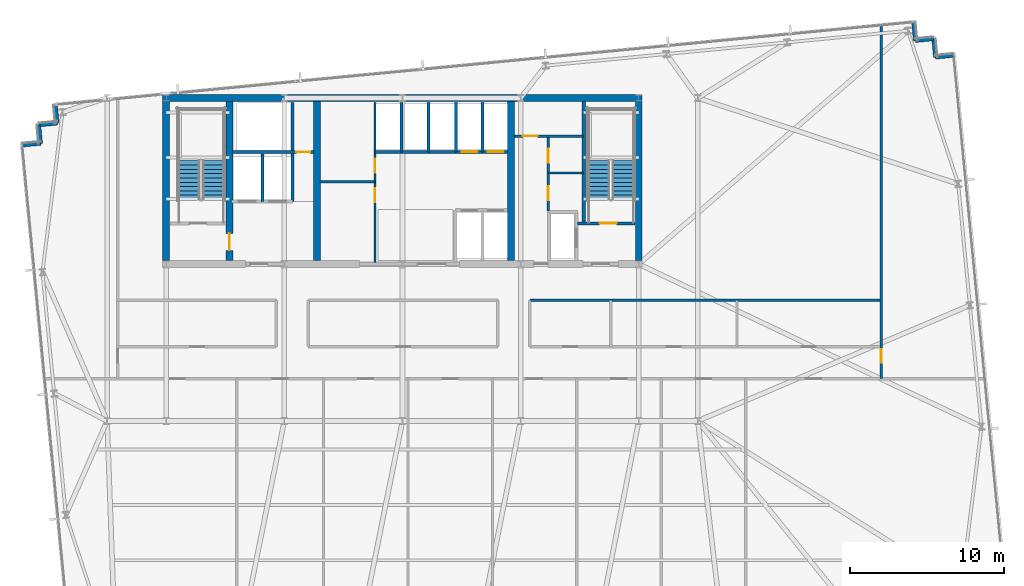
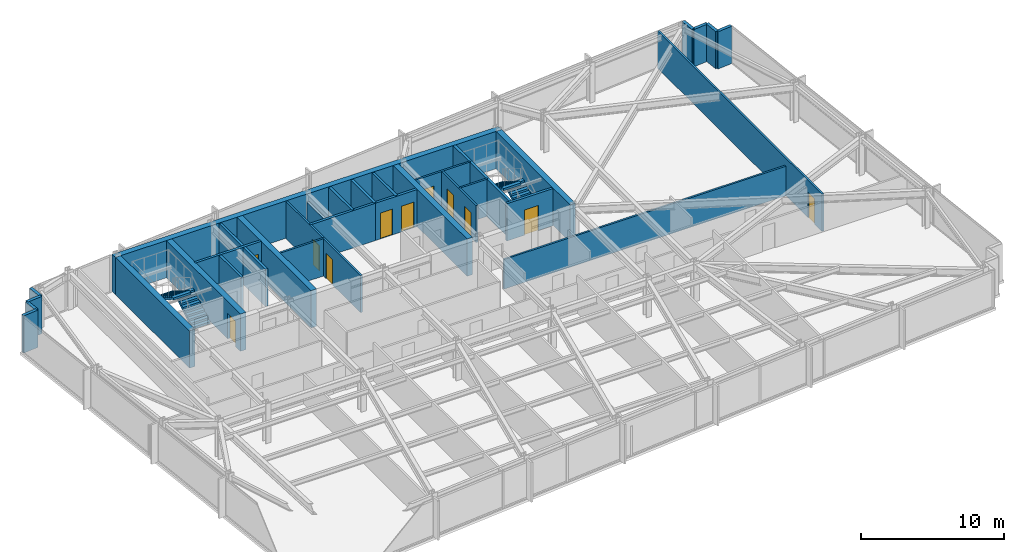
# One storey, part 26 of 32: 32 walls, 11 doors, 4 stair flights, 11 openings, 2 elements without a shape of their own.
"""IFC4 building model written with IfcOpenShell, lengths in metres."""

from ifc_helpers import new_model, si_unit, direction, frame, frame_2d, origin, place, context, subcontext, project, spatial, polyline, rectangle, outline, extrude, material, layer, layer_set, type_object, element, fill, aggregate, save


model = new_model("IFC4")

# Units and contexts
model_context = context("Model", 3, precision=1e-05, world=origin(), true_north=direction((0.0, 1.0)))
body_context = subcontext(model_context, "Body", "Model", "MODEL_VIEW")
ifc_project = project(units=[si_unit("LENGTHUNIT", "METRE"), si_unit("AREAUNIT", "SQUARE_METRE"), si_unit("VOLUMEUNIT", "CUBIC_METRE"), si_unit("PLANEANGLEUNIT", "RADIAN"), si_unit("MASSUNIT", "GRAM", prefix="KILO")], contexts=[model_context])

# Site, building, storey
site_placement = place(None, origin())
site = spatial("IfcSite", under=ifc_project, at=site_placement, CompositionType="ELEMENT")
building_placement = place(site_placement, origin())
building = spatial("IfcBuilding", under=site, at=building_placement, Name="Yelkora Congress Tower", CompositionType="ELEMENT")
storey_placement = place(building_placement, frame((0.0, 0.0, 130.5)))
storey = spatial("IfcBuildingStorey", under=building, at=storey_placement, Name="L35", CompositionType="ELEMENT", Elevation=130.5)

# Walls
ifc_material_1 = material(Name="Concrete C50/60", Category="concrete")
ifc_layer_1 = layer(ifc_material_1, 0.219970703125)
ifc_layer_set_1 = layer_set([ifc_layer_1], Name="Concrete C50/60")
wall_type_1 = type_object("IfcWallType", Name="WALL-CORE-INT-220", PredefinedType="SHEAR", material=ifc_layer_set_1)
wall_1_placement = place(storey_placement, frame((50.179931640625, 38.050048828125, 0.0), z_axis=(0.0, 0.0, 1.0), x_axis=(0.0, 1.0, 0.0)))
element("IfcWall", 1, at=wall_1_placement, inside=storey, type_object=wall_type_1, Name="L35 ST02 West Stair Shear Wall", PredefinedType="SHEAR", context=body_context, shape_type="SweptSolid", body=[
    extrude(rectangle(XDim=7.925048828125, YDim=0.219970703125, at=frame_2d((3.96240234375, 0.0))), origin(), (0.0, 0.0, 1.0), 3.179931640625),
])
ifc_material_2 = material(Name="Concrete C60/75", Category="concrete")
ifc_layer_2 = layer(ifc_material_2, 0.449951171875)
ifc_layer_set_2 = layer_set([ifc_layer_2], Name="Concrete C60/75")
wall_type_2 = type_object("IfcWallType", Name="WALL-CORE-INT-450", PredefinedType="SHEAR", material=ifc_layer_set_2)
wall_2_placement = place(storey_placement, frame((22.81494140625, 46.199951171875, 0.0), z_axis=(0.0, 0.0, 1.0), x_axis=(1.0, 0.0, 0.0)))
element("IfcWall", 2, at=wall_2_placement, inside=storey, type_object=wall_type_2, Name="L35 Rear Core North Shear Wall", PredefinedType="SHEAR", context=body_context, shape_type="SweptSolid", body=[
    extrude(rectangle(XDim=31.170166015625, YDim=0.449951171875, at=frame_2d((15.5849609375, 0.0))), origin(), (0.0, 0.0, 1.0), 3.179931640625),
])
wall_3_placement = place(storey_placement, frame((23.0400390625, 35.625, 0.0), z_axis=(0.0, 0.0, 1.0), x_axis=(0.0, 1.0, 0.0)))
element("IfcWall", 3, at=wall_3_placement, inside=storey, type_object=wall_type_2, Name="L35 Rear Core Cross Shear Wall W", PredefinedType="SHEAR", context=body_context, shape_type="SweptSolid", body=[
    extrude(rectangle(XDim=10.35009765625, YDim=0.449951171875, at=frame_2d((5.175048828125, 0.0))), origin(), (0.0, 0.0, 1.0), 3.179931640625),
])

# Wall, opening, door
wall_4_placement = place(storey_placement, frame((27.14990234375, 35.625, 0.0), z_axis=(0.0, 0.0, 1.0), x_axis=(0.0, 1.0, 0.0)))
wall_4 = element("IfcWall", 4, at=wall_4_placement, inside=storey, type_object=wall_type_2, Name="L35 Rear Core Cross Shear Wall C1", PredefinedType="SHEAR", context=body_context, shape_type="SweptSolid", body=[
    extrude(rectangle(XDim=10.35009765625, YDim=0.449951171875, at=frame_2d((5.175048828125, 0.0))), origin(), (0.0, 0.0, 1.0), 3.179931640625),
])
opening_1_placement = place(wall_4_placement, frame((0.675048828125, 0.0, 0.0)))
opening_1 = element("IfcOpeningElement", 5, at=opening_1_placement, cuts=wall_4, Name="Opening DR-110F9", PredefinedType="OPENING", context=body_context, shape_type="SweptSolid", body=[
    extrude(rectangle(XDim=1.10009765625, YDim=2.14990234375, at=frame_2d((0.550048828125, 1.074951171875))), frame((0.0, 0.23486328125, 0.0), z_axis=(0.0, -1.0, 0.0), x_axis=(1.0, 0.0, 0.0)), (0.0, 0.0, 1.0), 0.469970703125),
])
ifc_material_3 = material(Name="Galvanised steel fire door leaf", Category="steel")
door_type_1 = type_object("IfcDoorType", Name="DOOR-FD90-1100", OperationType="NOTDEFINED", PredefinedType="DOOR", material=ifc_material_3)
door_1_placement = place(opening_1_placement, origin())
door_1 = element("IfcDoor", 6, at=door_1_placement, inside=storey, type_object=door_type_1, Name="L35 Firefighting Stair Transfer Door", OperationType="SINGLE_SWING_LEFT", OverallHeight=2.14990234375, OverallWidth=1.10009765625, PredefinedType="DOOR", context=body_context, shape_type="SweptSolid", body=[
    extrude(rectangle(XDim=1.10009765625, YDim=2.14990234375, at=frame_2d((0.550048828125, 1.074951171875))), frame((0.0, 0.02490234375, 0.0), z_axis=(0.0, -1.0, 0.0), x_axis=(1.0, 0.0, 0.0)), (0.0, 0.0, 1.0), 0.050048828125),
])
fill(opening_1, door_1)

# Walls
for number, where, z_axis, x_axis, name in (
    (7, (32.85009765625, 35.625, 0.0), (0.0, 0.0, 1.0), (0.0, 1.0, 0.0), "L35 Rear Core Cross Shear Wall C2"),
    (8, (45.449951171875, 35.625, 0.0), (0.0, 0.0, 1.0), (0.0, 1.0, 0.0), "L35 Rear Core Cross Shear Wall C3"),
    (9, (53.760009765625, 35.625, 0.0), (0.0, 0.0, 1.0), (0.0, 1.0, 0.0), "L35 Rear Core Cross Shear Wall E"),
):
    element("IfcWall", number, at=place(storey_placement, frame(where, z_axis=z_axis, x_axis=x_axis)), inside=storey, type_object=wall_type_2, Name=name, PredefinedType="SHEAR", context=body_context, shape_type="SweptSolid", body=[
        extrude(rectangle(XDim=10.35009765625, YDim=0.449951171875, at=frame_2d((5.175048828125, 0.0))), origin(), (0.0, 0.0, 1.0), 3.179931640625),
    ])
ifc_material_4 = material(Name="Concrete C40/50", Category="concrete")
ifc_layer_3 = layer(ifc_material_4, 0.239990234375)
ifc_layer_set_3 = layer_set([ifc_layer_3], Name="Concrete C40/50")
wall_type_3 = type_object("IfcWallType", Name="WALL-EXT-LIMESTONE-240", PredefinedType="SOLIDWALL", material=ifc_layer_set_3)
for number, where, z_axis, x_axis, name in (
    (10, (13.69091796875, 43.126708984375, 0.0), (0.0, 0.0, 1.0), (0.995398960025, 0.095817067274, 0.0), "L35 Serrated Corner Limestone Pier 6"),
    (11, (14.885498046875, 43.24169921875, 0.0), (0.0, 0.0, 1.0), (-0.095817067274, 0.995398960025, 0.0), "L35 Serrated Corner Limestone Pier 7"),
):
    element("IfcWall", number, at=place(storey_placement, frame(where, z_axis=z_axis, x_axis=x_axis)), inside=storey, type_object=wall_type_3, Name=name, PredefinedType="SOLIDWALL", context=body_context, shape_type="SweptSolid", body=[
        extrude(rectangle(XDim=1.2001953125, YDim=0.239990234375, at=frame_2d((0.60009765625, 0.0))), origin(), (0.0, 0.0, 1.0), 3.179931640625),
    ])
for number, where, z_axis, x_axis, name in (
    (12, (14.7705078125, 44.436279296875, 0.0), (0.0, 0.0, 1.0), (0.995397091755, 0.095836473879, 0.0), "L35 Serrated Corner Limestone Pier 8"),
    (13, (15.96484375, 44.55126953125, 0.0), (0.0, 0.0, 1.0), (-0.095836473879, 0.995397091755, 0.0), "L35 Serrated Corner Limestone Pier 9"),
):
    element("IfcWall", number, at=place(storey_placement, frame(where, z_axis=z_axis, x_axis=x_axis)), inside=storey, type_object=wall_type_3, Name=name, PredefinedType="SOLIDWALL", context=body_context, shape_type="SweptSolid", body=[
        extrude(rectangle(XDim=1.199951171875, YDim=0.239990234375, at=frame_2d((0.60009765625, 0.0))), origin(), (0.0, 0.0, 1.0), 3.179931640625),
    ])
for number, where, z_axis, x_axis, name in (
    (14, (71.61181640625, 51.114990234375, 0.0), (0.0, 0.0, 1.0), (0.095817067274, -0.995398960025, 0.0), "L35 Serrated Corner Limestone Pier 11"),
    (15, (71.726806640625, 49.92041015625, 0.0), (0.0, 0.0, 1.0), (0.995398960025, 0.095817067274, 0.0), "L35 Serrated Corner Limestone Pier 12"),
    (16, (72.92138671875, 50.035400390625, 0.0), (0.0, 0.0, 1.0), (0.095817067274, -0.995398960025, 0.0), "L35 Serrated Corner Limestone Pier 13"),
    (17, (73.036376953125, 48.8408203125, 0.0), (0.0, 0.0, 1.0), (0.995379537303, 0.096018626938, 0.0), "L35 Serrated Corner Limestone Pier 14"),
):
    element("IfcWall", number, at=place(storey_placement, frame(where, z_axis=z_axis, x_axis=x_axis)), inside=storey, type_object=wall_type_3, Name=name, PredefinedType="SOLIDWALL", context=body_context, shape_type="SweptSolid", body=[
        extrude(rectangle(XDim=1.2001953125, YDim=0.239990234375, at=frame_2d((0.60009765625, 0.0))), origin(), (0.0, 0.0, 1.0), 3.179931640625),
    ])

# Wall, opening, door
ifc_material_5 = material(Name="Acoustic metal-stud gypsum partition", Category="gypsum")
ifc_layer_4 = layer(ifc_material_5, 0.14990234375)
ifc_layer_set_4 = layer_set([ifc_layer_4], Name="Acoustic metal-stud gypsum partition")
wall_type_4 = type_object("IfcWallType", Name="WALL-INT-150-NR", PredefinedType="PARTITIONING", material=ifc_layer_set_4)
wall_5_placement = place(storey_placement, frame((45.679931640625, 43.719970703125, 0.0), z_axis=(0.0, 0.0, 1.0), x_axis=(1.0, 0.0, 0.0)))
wall_5 = element("IfcWall", 18, at=wall_5_placement, inside=storey, type_object=wall_type_4, Name="L35 Partition Wall 24", PredefinedType="PARTITIONING", context=body_context, shape_type="SweptSolid", body=[
    extrude(rectangle(XDim=4.5, YDim=0.14990234375, at=frame_2d((2.25, 0.0))), origin(), (0.0, 0.0, 1.0), 3.179931640625),
])
opening_2_placement = place(wall_5_placement, frame((0.550048828125, 0.0, 0.0)))
opening_2 = element("IfcOpeningElement", 19, at=opening_2_placement, cuts=wall_5, Name="Opening DR-095N", PredefinedType="OPENING", context=body_context, shape_type="SweptSolid", body=[
    extrude(rectangle(XDim=0.949951171875, YDim=2.14990234375, at=frame_2d((0.47509765625, 1.074951171875))), frame((0.0, 0.0849609375, 0.0), z_axis=(0.0, -1.0, 0.0), x_axis=(1.0, 0.0, 0.0)), (0.0, 0.0, 1.0), 0.169921875),
])
ifc_material_6 = material(Name="Acoustic laminated timber office door", Category="wood")
door_type_2 = type_object("IfcDoorType", Name="DOOR-INT-950", OperationType="NOTDEFINED", PredefinedType="DOOR", material=ifc_material_6)
door_2_placement = place(opening_2_placement, origin())
door_2 = element("IfcDoor", 20, at=door_2_placement, inside=storey, type_object=door_type_2, Name="L35 Accessible WC Door", OperationType="SINGLE_SWING_RIGHT", OverallHeight=2.14990234375, OverallWidth=0.949951171875, PredefinedType="DOOR", context=body_context, shape_type="SweptSolid", body=[
    extrude(rectangle(XDim=0.949951171875, YDim=2.14990234375, at=frame_2d((0.47509765625, 1.074951171875))), frame((0.0, 0.02490234375, 0.0), z_axis=(0.0, -1.0, 0.0), x_axis=(1.0, 0.0, 0.0)), (0.0, 0.0, 1.0), 0.050048828125),
])
fill(opening_2, door_2)

# Wall
wall_6_placement = place(storey_placement, frame((47.8798828125, 41.320068359375, 0.0), z_axis=(0.0, 0.0, 1.0), x_axis=(1.0, 0.0, 0.0)))
element("IfcWall", 21, at=wall_6_placement, inside=storey, type_object=wall_type_4, Name="L35 Partition Wall 25", PredefinedType="PARTITIONING", context=body_context, shape_type="SweptSolid", body=[
    extrude(rectangle(XDim=2.300048828125, YDim=0.14990234375, at=frame_2d((1.14990234375, 0.0))), origin(), (0.0, 0.0, 1.0), 3.179931640625),
])

# Wall, openings, doors
wall_7_placement = place(storey_placement, frame((47.8798828125, 38.85009765625, 0.0), z_axis=(0.0, 0.0, 1.0), x_axis=(0.0, 1.0, 0.0)))
wall_7 = element("IfcWall", 22, at=wall_7_placement, inside=storey, type_object=wall_type_4, Name="L35 Partition Wall 26", PredefinedType="PARTITIONING", context=body_context, shape_type="SweptSolid", body=[
    extrude(rectangle(XDim=4.869873046875, YDim=0.14990234375, at=frame_2d((2.43505859375, 0.0))), origin(), (0.0, 0.0, 1.0), 3.179931640625),
])
opening_3_placement = place(wall_7_placement, frame((0.699951171875, 0.0, 0.0)))
opening_3 = element("IfcOpeningElement", 23, at=opening_3_placement, cuts=wall_7, Name="Opening DR-090N", PredefinedType="OPENING", context=body_context, shape_type="SweptSolid", body=[
    extrude(rectangle(XDim=0.89990234375, YDim=2.14990234375, at=frame_2d((0.449951171875, 1.074951171875))), frame((0.0, 0.0849609375, 0.0), z_axis=(0.0, -1.0, 0.0), x_axis=(1.0, 0.0, 0.0)), (0.0, 0.0, 1.0), 0.169921875),
])
opening_4_placement = place(wall_7_placement, frame((3.14990234375, 0.0, 0.0)))
opening_4 = element("IfcOpeningElement", 24, at=opening_4_placement, cuts=wall_7, Name="Opening DR-090N", PredefinedType="OPENING", context=body_context, shape_type="SweptSolid", body=[
    extrude(rectangle(XDim=0.89990234375, YDim=2.14990234375, at=frame_2d((0.449951171875, 1.074951171875))), frame((0.0, 0.0849609375, 0.0), z_axis=(0.0, -1.0, 0.0), x_axis=(1.0, 0.0, 0.0)), (0.0, 0.0, 1.0), 0.169921875),
])
ifc_material_7 = material(Name="Moisture-resistant laminate door leaf", Category="wood")
door_type_3 = type_object("IfcDoorType", Name="DOOR-INT-900", OperationType="NOTDEFINED", PredefinedType="DOOR", material=ifc_material_7)
door_3_placement = place(opening_3_placement, origin())
door_3 = element("IfcDoor", 25, at=door_3_placement, inside=storey, type_object=door_type_3, Name="L35 Male WC Door", OperationType="SINGLE_SWING_LEFT", OverallHeight=2.14990234375, OverallWidth=0.89990234375, PredefinedType="DOOR", context=body_context, shape_type="SweptSolid", body=[
    extrude(rectangle(XDim=0.89990234375, YDim=2.14990234375, at=frame_2d((0.449951171875, 1.074951171875))), frame((0.0, 0.02490234375, 0.0), z_axis=(0.0, -1.0, 0.0), x_axis=(1.0, 0.0, 0.0)), (0.0, 0.0, 1.0), 0.050048828125),
])
fill(opening_3, door_3)
door_4_placement = place(opening_4_placement, origin())
door_4 = element("IfcDoor", 26, at=door_4_placement, inside=storey, type_object=door_type_3, Name="L35 Female WC Door", OperationType="SINGLE_SWING_RIGHT", OverallHeight=2.14990234375, OverallWidth=0.89990234375, PredefinedType="DOOR", context=body_context, shape_type="SweptSolid", body=[
    extrude(rectangle(XDim=0.89990234375, YDim=2.14990234375, at=frame_2d((0.449951171875, 1.074951171875))), frame((0.0, 0.02490234375, 0.0), z_axis=(0.0, -1.0, 0.0), x_axis=(1.0, 0.0, 0.0)), (0.0, 0.0, 1.0), 0.050048828125),
])
fill(opening_4, door_4)

# Wall, opening, door
wall_8_placement = place(storey_placement, frame((69.513916015625, 27.949951171875, 0.0), z_axis=(0.0, 0.0, 1.0), x_axis=(0.0, 1.0, 0.0)))
wall_8 = element("IfcWall", 27, at=wall_8_placement, inside=storey, type_object=wall_type_4, Name="L35 Partition Wall 36", PredefinedType="PARTITIONING", context=body_context, shape_type="SweptSolid", body=[
    extrude(rectangle(XDim=23.023193359375, YDim=0.14990234375, at=frame_2d((11.51171875, 0.0))), origin(), (0.0, 0.0, 1.0), 3.179931640625),
])
opening_5_placement = place(wall_8_placement, frame((1.030029296875, 0.0, 0.0)))
opening_5 = element("IfcOpeningElement", 28, at=opening_5_placement, cuts=wall_8, Name="Opening DR-090N", PredefinedType="OPENING", context=body_context, shape_type="SweptSolid", body=[
    extrude(rectangle(XDim=0.89990234375, YDim=2.14990234375, at=frame_2d((0.449951171875, 1.074951171875))), frame((0.0, 0.0849609375, 0.0), z_axis=(0.0, -1.0, 0.0), x_axis=(1.0, 0.0, 0.0)), (0.0, 0.0, 1.0), 0.169921875),
])
door_5_placement = place(opening_5_placement, origin())
door_5 = element("IfcDoor", 29, at=door_5_placement, inside=storey, type_object=door_type_3, Name="L35 E Wing Door", OperationType="SINGLE_SWING_RIGHT", OverallHeight=2.14990234375, OverallWidth=0.89990234375, PredefinedType="DOOR", context=body_context, shape_type="SweptSolid", body=[
    extrude(rectangle(XDim=0.89990234375, YDim=2.14990234375, at=frame_2d((0.449951171875, 1.074951171875))), frame((0.0, 0.02490234375, 0.0), z_axis=(0.0, -1.0, 0.0), x_axis=(1.0, 0.0, 0.0)), (0.0, 0.0, 1.0), 0.050048828125),
])
fill(opening_5, door_5)

# Walls
wall_9_placement = place(storey_placement, frame((46.679931640625, 33.050048828125, 0.0), z_axis=(0.0, 0.0, 1.0), x_axis=(1.0, 0.0, 0.0)))
element("IfcWall", 30, at=wall_9_placement, inside=storey, type_object=wall_type_4, Name="L35 Partition Wall 43", PredefinedType="PARTITIONING", context=body_context, shape_type="SweptSolid", body=[
    extrude(rectangle(XDim=22.833984375, YDim=0.14990234375, at=frame_2d((11.4169921875, 0.0))), origin(), (0.0, 0.0, 1.0), 2.52490234375),
])
ifc_material_8 = material(Name="Twin-stud fire-rated gypsum partition", Category="gypsum")
ifc_layer_5 = layer(ifc_material_8, 0.14990234375)
ifc_layer_set_5 = layer_set([ifc_layer_5], Name="Twin-stud fire-rated gypsum partition")
wall_type_5 = type_object("IfcWallType", Name="WALL-INT-150-R60", PredefinedType="PARTITIONING", material=ifc_layer_set_5)
wall_10_placement = place(storey_placement, frame((33.050048828125, 40.75, 0.0), z_axis=(0.0, 0.0, 1.0), x_axis=(1.0, 0.0, 0.0)))
element("IfcWall", 31, at=wall_10_placement, inside=storey, type_object=wall_type_5, Name="L35 Partition Wall 11", PredefinedType="PARTITIONING", context=body_context, shape_type="SweptSolid", body=[
    extrude(rectangle(XDim=3.570068359375, YDim=0.14990234375, at=frame_2d((1.78515625, 0.0))), origin(), (0.0, 0.0, 1.0), 3.179931640625),
])

# Wall, openings, doors
wall_11_placement = place(storey_placement, frame((36.6201171875, 35.5, 0.0), z_axis=(0.0, 0.0, 1.0), x_axis=(0.0, 1.0, 0.0)))
wall_11 = element("IfcWall", 32, at=wall_11_placement, inside=storey, type_object=wall_type_5, Name="L35 Partition Wall 12", PredefinedType="PARTITIONING", context=body_context, shape_type="SweptSolid", body=[
    extrude(rectangle(XDim=10.419921875, YDim=0.14990234375, at=frame_2d((5.2099609375, 0.0))), origin(), (0.0, 0.0, 1.0), 3.179931640625),
])
opening_6_placement = place(wall_11_placement, frame((3.919921875, 0.0, 0.0)))
opening_6 = element("IfcOpeningElement", 33, at=opening_6_placement, cuts=wall_11, Name="Opening DR-090F6", PredefinedType="OPENING", context=body_context, shape_type="SweptSolid", body=[
    extrude(rectangle(XDim=0.89990234375, YDim=2.14990234375, at=frame_2d((0.449951171875, 1.074951171875))), frame((0.0, 0.0849609375, 0.0), z_axis=(0.0, -1.0, 0.0), x_axis=(1.0, 0.0, 0.0)), (0.0, 0.0, 1.0), 0.169921875),
])
opening_7_placement = place(wall_11_placement, frame((5.85009765625, 0.0, 0.0)))
opening_7 = element("IfcOpeningElement", 34, at=opening_7_placement, cuts=wall_11, Name="Opening DR-090F6", PredefinedType="OPENING", context=body_context, shape_type="SweptSolid", body=[
    extrude(rectangle(XDim=0.89990234375, YDim=2.14990234375, at=frame_2d((0.449951171875, 1.074951171875))), frame((0.0, 0.0849609375, 0.0), z_axis=(0.0, -1.0, 0.0), x_axis=(1.0, 0.0, 0.0)), (0.0, 0.0, 1.0), 0.169921875),
])
ifc_material_9 = material(Name="Painted steel riser fire door leaf", Category="steel")
door_type_4 = type_object("IfcDoorType", Name="DOOR-FD60-900", OperationType="NOTDEFINED", PredefinedType="DOOR", material=ifc_material_9)
door_6_placement = place(opening_6_placement, origin())
door_6 = element("IfcDoor", 35, at=door_6_placement, inside=storey, type_object=door_type_4, Name="L35 Telecom Store Door", OperationType="SINGLE_SWING_LEFT", OverallHeight=2.14990234375, OverallWidth=0.89990234375, PredefinedType="DOOR", context=body_context, shape_type="SweptSolid", body=[
    extrude(rectangle(XDim=0.89990234375, YDim=2.14990234375, at=frame_2d((0.449951171875, 1.074951171875))), frame((0.0, 0.02490234375, 0.0), z_axis=(0.0, -1.0, 0.0), x_axis=(1.0, 0.0, 0.0)), (0.0, 0.0, 1.0), 0.050048828125),
])
fill(opening_6, door_6)
door_7_placement = place(opening_7_placement, origin())
door_7 = element("IfcDoor", 36, at=door_7_placement, inside=storey, type_object=door_type_4, Name="L35 Archive Store Door", OperationType="SINGLE_SWING_RIGHT", OverallHeight=2.14990234375, OverallWidth=0.89990234375, PredefinedType="DOOR", context=body_context, shape_type="SweptSolid", body=[
    extrude(rectangle(XDim=0.89990234375, YDim=2.14990234375, at=frame_2d((0.449951171875, 1.074951171875))), frame((0.0, 0.02490234375, 0.0), z_axis=(0.0, -1.0, 0.0), x_axis=(1.0, 0.0, 0.0)), (0.0, 0.0, 1.0), 0.050048828125),
])
fill(opening_7, door_7)

# Walls
ifc_material_10 = material(Name="Autoclaved aerated concrete blockwork", Category="masonry")
ifc_layer_6 = layer(ifc_material_10, 0.199951171875)
ifc_layer_set_6 = layer_set([ifc_layer_6], Name="Autoclaved aerated concrete blockwork")
wall_type_6 = type_object("IfcWallType", Name="WALL-INT-200-R120", PredefinedType="PARTITIONING", material=ifc_layer_set_6)
wall_12_placement = place(storey_placement, frame((29.300048828125, 39.47998046875, 0.0), z_axis=(0.0, 0.0, 1.0), x_axis=(0.0, 1.0, 0.0)))
element("IfcWall", 37, at=wall_12_placement, inside=storey, type_object=wall_type_6, Name="L35 Partition Wall 4", PredefinedType="PARTITIONING", context=body_context, shape_type="SweptSolid", body=[
    extrude(rectangle(XDim=3.070068359375, YDim=0.199951171875, at=frame_2d((1.53515625, 0.0))), origin(), (0.0, 0.0, 1.0), 3.179931640625),
])
wall_13_placement = place(storey_placement, frame((31.260009765625, 39.47998046875, 0.0), z_axis=(0.0, 0.0, 1.0), x_axis=(0.0, 1.0, 0.0)))
element("IfcWall", 38, at=wall_13_placement, inside=storey, type_object=wall_type_6, Name="L35 Partition Wall 5", PredefinedType="PARTITIONING", context=body_context, shape_type="SweptSolid", body=[
    extrude(rectangle(XDim=6.43994140625, YDim=0.199951171875, at=frame_2d((3.219970703125, 0.0))), origin(), (0.0, 0.0, 1.0), 3.179931640625),
])

# Wall, opening, door
wall_14_placement = place(storey_placement, frame((27.320068359375, 42.679931640625, 0.0), z_axis=(0.0, 0.0, 1.0), x_axis=(1.0, 0.0, 0.0)))
wall_14 = element("IfcWall", 39, at=wall_14_placement, inside=storey, type_object=wall_type_6, Name="L35 Smoke Riser South Wall", PredefinedType="PARTITIONING", context=body_context, shape_type="SweptSolid", body=[
    extrude(rectangle(XDim=5.329833984375, YDim=0.199951171875, at=frame_2d((2.6650390625, 0.0))), origin(), (0.0, 0.0, 1.0), 3.179931640625),
])
opening_8_placement = place(wall_14_placement, frame((4.179931640625, 0.0, 0.0)))
opening_8 = element("IfcOpeningElement", 40, at=opening_8_placement, cuts=wall_14, Name="Opening DR-090F6", PredefinedType="OPENING", context=body_context, shape_type="SweptSolid", body=[
    extrude(rectangle(XDim=0.89990234375, YDim=2.14990234375, at=frame_2d((0.449951171875, 1.074951171875))), frame((0.0, 0.10986328125, 0.0), z_axis=(0.0, -1.0, 0.0), x_axis=(1.0, 0.0, 0.0)), (0.0, 0.0, 1.0), 0.219970703125),
])
door_8_placement = place(opening_8_placement, origin())
door_8 = element("IfcDoor", 41, at=door_8_placement, inside=storey, type_object=door_type_4, Name="L35 Riser Access Door", OperationType="SINGLE_SWING_LEFT", OverallHeight=2.14990234375, OverallWidth=0.89990234375, PredefinedType="DOOR", context=body_context, shape_type="SweptSolid", body=[
    extrude(rectangle(XDim=0.89990234375, YDim=2.14990234375, at=frame_2d((0.449951171875, 1.074951171875))), frame((0.0, 0.02490234375, 0.0), z_axis=(0.0, -1.0, 0.0), x_axis=(1.0, 0.0, 0.0)), (0.0, 0.0, 1.0), 0.050048828125),
])
fill(opening_8, door_8)

# Walls
wall_15_placement = place(storey_placement, frame((36.60009765625, 42.699951171875, 0.0), z_axis=(0.0, 0.0, 1.0), x_axis=(1.0, 0.0, 0.0)))
element("IfcWall", 42, at=wall_15_placement, inside=storey, type_object=wall_type_6, Name="L35 Partition Wall 8", PredefinedType="PARTITIONING", context=body_context, shape_type="SweptSolid", body=[
    extrude(rectangle(XDim=5.25, YDim=0.199951171875, at=frame_2d((2.625, 0.0))), origin(), (0.0, 0.0, 1.0), 3.179931640625),
])
wall_16_placement = place(storey_placement, frame((38.35009765625, 42.699951171875, 0.0), z_axis=(0.0, 0.0, 1.0), x_axis=(0.0, 1.0, 0.0)))
element("IfcWall", 43, at=wall_16_placement, inside=storey, type_object=wall_type_6, Name="L35 Partition Wall 9", PredefinedType="PARTITIONING", context=body_context, shape_type="SweptSolid", body=[
    extrude(rectangle(XDim=3.219970703125, YDim=0.199951171875, at=frame_2d((1.60986328125, 0.0))), origin(), (0.0, 0.0, 1.0), 2.52490234375),
])
wall_17_placement = place(storey_placement, frame((40.10009765625, 42.699951171875, 0.0), z_axis=(0.0, 0.0, 1.0), x_axis=(0.0, 1.0, 0.0)))
element("IfcWall", 44, at=wall_17_placement, inside=storey, type_object=wall_type_6, Name="L35 Partition Wall 10", PredefinedType="PARTITIONING", context=body_context, shape_type="SweptSolid", body=[
    extrude(rectangle(XDim=3.219970703125, YDim=0.199951171875, at=frame_2d((1.60986328125, 0.0))), origin(), (0.0, 0.0, 1.0), 3.179931640625),
])

# Wall, openings, doors
wall_18_placement = place(storey_placement, frame((41.85009765625, 42.699951171875, 0.0), z_axis=(0.0, 0.0, 1.0), x_axis=(1.0, 0.0, 0.0)))
wall_18 = element("IfcWall", 45, at=wall_18_placement, inside=storey, type_object=wall_type_6, Name="L35 Partition Wall 14", PredefinedType="PARTITIONING", context=body_context, shape_type="SweptSolid", body=[
    extrude(rectangle(XDim=3.369873046875, YDim=0.199951171875, at=frame_2d((1.68505859375, 0.0))), origin(), (0.0, 0.0, 1.0), 3.179931640625),
])
opening_9_placement = place(wall_18_placement, frame((0.39990234375, 0.0, 0.0)))
opening_9 = element("IfcOpeningElement", 46, at=opening_9_placement, cuts=wall_18, Name="Opening LD-PS10", PredefinedType="OPENING", context=body_context, shape_type="SweptSolid", body=[
    extrude(rectangle(XDim=1.0, YDim=2.199951171875, at=frame_2d((0.5, 1.10009765625))), frame((0.0, 0.10986328125, 0.0), z_axis=(0.0, -1.0, 0.0), x_axis=(1.0, 0.0, 0.0)), (0.0, 0.0, 1.0), 0.219970703125),
])
opening_10_placement = place(wall_18_placement, frame((2.10009765625, 0.0, 0.0)))
opening_10 = element("IfcOpeningElement", 47, at=opening_10_placement, cuts=wall_18, Name="Opening LD-PS10", PredefinedType="OPENING", context=body_context, shape_type="SweptSolid", body=[
    extrude(rectangle(XDim=1.0, YDim=2.199951171875, at=frame_2d((0.5, 1.10009765625))), frame((0.0, 0.10986328125, 0.0), z_axis=(0.0, -1.0, 0.0), x_axis=(1.0, 0.0, 0.0)), (0.0, 0.0, 1.0), 0.219970703125),
])
ifc_material_11 = material(Name="Champagne stainless steel landing door", Category="steel")
door_type_5 = type_object("IfcDoorType", Name="DOOR-LIFT-PAS-1000", OperationType="DOUBLE_DOOR_SLIDING", PredefinedType="DOOR", material=ifc_material_11)
door_9_placement = place(opening_9_placement, origin())
door_9 = element("IfcDoor", 48, at=door_9_placement, inside=storey, type_object=door_type_5, Name="Lift Landing Door LF-P7 L35", OperationType="DOUBLE_DOOR_SLIDING", OverallHeight=2.199951171875, OverallWidth=1.0, PredefinedType="DOOR", context=body_context, shape_type="SweptSolid", body=[
    extrude(rectangle(XDim=1.0, YDim=2.199951171875, at=frame_2d((0.5, 1.10009765625))), frame((0.0, 0.02490234375, 0.0), z_axis=(0.0, -1.0, 0.0), x_axis=(1.0, 0.0, 0.0)), (0.0, 0.0, 1.0), 0.050048828125),
])
fill(opening_9, door_9)
door_10_placement = place(opening_10_placement, origin())
door_10 = element("IfcDoor", 49, at=door_10_placement, inside=storey, type_object=door_type_5, Name="Lift Landing Door LF-P8 L35", OperationType="DOUBLE_DOOR_SLIDING", OverallHeight=2.199951171875, OverallWidth=1.0, PredefinedType="DOOR", context=body_context, shape_type="SweptSolid", body=[
    extrude(rectangle(XDim=1.0, YDim=2.199951171875, at=frame_2d((0.5, 1.10009765625))), frame((0.0, 0.02490234375, 0.0), z_axis=(0.0, -1.0, 0.0), x_axis=(1.0, 0.0, 0.0)), (0.0, 0.0, 1.0), 0.050048828125),
])
fill(opening_10, door_10)

# Walls
for number, where, z_axis, x_axis, name in (
    (50, (43.60009765625, 42.699951171875, 0.0), (0.0, 0.0, 1.0), (0.0, 1.0, 0.0), "L35 Partition Wall 16"),
    (51, (41.8798828125, 42.699951171875, 0.0), (0.0, 0.0, 1.0), (0.0, 1.0, 0.0), "L35 Partition Wall 18"),
):
    element("IfcWall", number, at=place(storey_placement, frame(where, z_axis=z_axis, x_axis=x_axis)), inside=storey, type_object=wall_type_6, Name=name, PredefinedType="PARTITIONING", context=body_context, shape_type="SweptSolid", body=[
        extrude(rectangle(XDim=3.219970703125, YDim=0.199951171875, at=frame_2d((1.60986328125, 0.0))), origin(), (0.0, 0.0, 1.0), 3.179931640625),
    ])

# Wall, opening, door
wall_19_placement = place(storey_placement, frame((49.780029296875, 38.050048828125, 0.0), z_axis=(0.0, 0.0, 1.0), x_axis=(1.0, 0.0, 0.0)))
wall_19 = element("IfcWall", 52, at=wall_19_placement, inside=storey, type_object=wall_type_6, Name="L35 Stair ST-02 Enclosure Wall", PredefinedType="PARTITIONING", context=body_context, shape_type="SweptSolid", body=[
    extrude(rectangle(XDim=3.719970703125, YDim=0.199951171875, at=frame_2d((1.85986328125, 0.0))), origin(), (0.0, 0.0, 1.0), 3.179931640625),
])
opening_11_placement = place(wall_19_placement, frame((1.436279296875, 0.0, 0.0)))
opening_11 = element("IfcOpeningElement", 53, at=opening_11_placement, cuts=wall_19, Name="Opening DR-110F9", PredefinedType="OPENING", context=body_context, shape_type="SweptSolid", body=[
    extrude(rectangle(XDim=1.10009765625, YDim=2.14990234375, at=frame_2d((0.550048828125, 1.074951171875))), frame((0.0, 0.10986328125, 0.0), z_axis=(0.0, -1.0, 0.0), x_axis=(1.0, 0.0, 0.0)), (0.0, 0.0, 1.0), 0.219970703125),
])
door_11_placement = place(opening_11_placement, origin())
door_11 = element("IfcDoor", 54, at=door_11_placement, inside=storey, type_object=door_type_1, Name="L35 Stair ST-02 Entry Door", OperationType="SINGLE_SWING_LEFT", OverallHeight=2.14990234375, OverallWidth=1.10009765625, PredefinedType="DOOR", context=body_context, shape_type="SweptSolid", body=[
    extrude(rectangle(XDim=1.10009765625, YDim=2.14990234375, at=frame_2d((0.550048828125, 1.074951171875))), frame((0.0, 0.02490234375, 0.0), z_axis=(0.0, -1.0, 0.0), x_axis=(1.0, 0.0, 0.0)), (0.0, 0.0, 1.0), 0.050048828125),
])
fill(opening_11, door_11)

# Stair, stair flights
stair_type = type_object("IfcStairType", Name="STAIR-HT-1420-R20-170", PredefinedType="HALF_TURN_STAIR", material=ifc_material_4)
stair_1_placement = place(storey_placement, origin())
stair_1 = element("IfcStair", 55, at=stair_1_placement, inside=storey, type_object=stair_type, Name="West Core Protected Exit Stair ST-01 (L35)", PredefinedType="HALF_TURN_STAIR")
stair_flight_type = type_object("IfcStairFlightType", Name="FLIGHT-1420-N10-R170-G280", PredefinedType="STRAIGHT", material=ifc_material_4)
stair_flight_1_placement = place(storey_placement, frame((26.110107421875, 39.60009765625, 0.0), z_axis=(0.0, 0.0, 1.0), x_axis=(0.0, 1.0, 0.0)))
stair_flight_1 = element("IfcStairFlight", 56, at=stair_flight_1_placement, type_object=stair_flight_type, Name="ST-01 L35 Flight 1", NumberOfRisers=10, NumberOfTreads=9, PredefinedType="STRAIGHT", RiserHeight=0.17, TreadLength=0.28, context=body_context, shape_type="SweptSolid", body=[
    extrude(outline(polyline([(0.0, 0.0), (0.0, 0.169921875), (0.280029296875, 0.169921875), (0.280029296875, 0.340087890625), (0.56005859375, 0.340087890625), (0.56005859375, 0.510009765625), (0.840087890625, 0.510009765625), (0.840087890625, 0.679931640625), (1.1201171875, 0.679931640625), (1.1201171875, 0.85009765625), (1.39990234375, 0.85009765625), (1.39990234375, 1.02001953125), (1.679931640625, 1.02001953125), (1.679931640625, 1.18994140625), (1.9599609375, 1.18994140625), (1.9599609375, 1.360107421875), (2.239990234375, 1.360107421875), (2.239990234375, 1.530029296875), (2.52001953125, 1.530029296875), (2.52001953125, 1.699951171875), (2.52001953125, 1.343017578125), (0.30810546875, 0.0), (0.0, 0.0)])), frame((0.0, 0.7099609375, 0.0), z_axis=(0.0, -1.0, 0.0), x_axis=(1.0, 0.0, 0.0)), (0.0, 0.0, 1.0), 1.419921875),
])
stair_flight_2_placement = place(storey_placement, frame((24.530029296875, 42.1201171875, 1.699951171875), z_axis=(0.0, 0.0, 1.0), x_axis=(0.0, -1.0, 0.0)))
stair_flight_2 = element("IfcStairFlight", 57, at=stair_flight_2_placement, type_object=stair_flight_type, Name="ST-01 L35 Flight 2", NumberOfRisers=10, NumberOfTreads=9, PredefinedType="STRAIGHT", RiserHeight=0.17, TreadLength=0.28, context=body_context, shape_type="SweptSolid", body=[
    extrude(outline(polyline([(0.0, 0.0), (0.0, 0.169921875), (0.280029296875, 0.169921875), (0.280029296875, 0.340087890625), (0.56005859375, 0.340087890625), (0.56005859375, 0.510009765625), (0.840087890625, 0.510009765625), (0.840087890625, 0.679931640625), (1.1201171875, 0.679931640625), (1.1201171875, 0.85009765625), (1.39990234375, 0.85009765625), (1.39990234375, 1.02001953125), (1.679931640625, 1.02001953125), (1.679931640625, 1.18994140625), (1.9599609375, 1.18994140625), (1.9599609375, 1.360107421875), (2.239990234375, 1.360107421875), (2.239990234375, 1.530029296875), (2.52001953125, 1.530029296875), (2.52001953125, 1.699951171875), (2.52001953125, 1.343017578125), (0.30810546875, 0.0), (0.0, 0.0)])), frame((0.0, 0.7099609375, 0.0), z_axis=(0.0, -1.0, 0.0), x_axis=(1.0, 0.0, 0.0)), (0.0, 0.0, 1.0), 1.419921875),
])
aggregate(stair_1, [stair_flight_1, stair_flight_2])

stair_2_placement = place(storey_placement, origin())
stair_2 = element("IfcStair", 58, at=stair_2_placement, inside=storey, type_object=stair_type, Name="East Core Protected Exit Stair ST-02 (L35)", PredefinedType="HALF_TURN_STAIR")
stair_flight_3_placement = place(storey_placement, frame((52.75, 39.60009765625, 0.0), z_axis=(0.0, 0.0, 1.0), x_axis=(0.0, 1.0, 0.0)))
stair_flight_3 = element("IfcStairFlight", 59, at=stair_flight_3_placement, type_object=stair_flight_type, Name="ST-02 L35 Flight 1", NumberOfRisers=10, NumberOfTreads=9, PredefinedType="STRAIGHT", RiserHeight=0.17, TreadLength=0.28, context=body_context, shape_type="SweptSolid", body=[
    extrude(outline(polyline([(0.0, 0.0), (0.0, 0.169921875), (0.280029296875, 0.169921875), (0.280029296875, 0.340087890625), (0.56005859375, 0.340087890625), (0.56005859375, 0.510009765625), (0.840087890625, 0.510009765625), (0.840087890625, 0.679931640625), (1.1201171875, 0.679931640625), (1.1201171875, 0.85009765625), (1.39990234375, 0.85009765625), (1.39990234375, 1.02001953125), (1.679931640625, 1.02001953125), (1.679931640625, 1.18994140625), (1.9599609375, 1.18994140625), (1.9599609375, 1.360107421875), (2.239990234375, 1.360107421875), (2.239990234375, 1.530029296875), (2.52001953125, 1.530029296875), (2.52001953125, 1.699951171875), (2.52001953125, 1.343017578125), (0.30810546875, 0.0), (0.0, 0.0)])), frame((0.0, 0.7099609375, 0.0), z_axis=(0.0, -1.0, 0.0), x_axis=(1.0, 0.0, 0.0)), (0.0, 0.0, 1.0), 1.419921875),
])
stair_flight_4_placement = place(storey_placement, frame((51.169921875, 42.1201171875, 1.699951171875), z_axis=(0.0, 0.0, 1.0), x_axis=(0.0, -1.0, 0.0)))
stair_flight_4 = element("IfcStairFlight", 60, at=stair_flight_4_placement, type_object=stair_flight_type, Name="ST-02 L35 Flight 2", NumberOfRisers=10, NumberOfTreads=9, PredefinedType="STRAIGHT", RiserHeight=0.17, TreadLength=0.28, context=body_context, shape_type="SweptSolid", body=[
    extrude(outline(polyline([(0.0, 0.0), (0.0, 0.169921875), (0.280029296875, 0.169921875), (0.280029296875, 0.340087890625), (0.56005859375, 0.340087890625), (0.56005859375, 0.510009765625), (0.840087890625, 0.510009765625), (0.840087890625, 0.679931640625), (1.1201171875, 0.679931640625), (1.1201171875, 0.85009765625), (1.39990234375, 0.85009765625), (1.39990234375, 1.02001953125), (1.679931640625, 1.02001953125), (1.679931640625, 1.18994140625), (1.9599609375, 1.18994140625), (1.9599609375, 1.360107421875), (2.239990234375, 1.360107421875), (2.239990234375, 1.530029296875), (2.52001953125, 1.530029296875), (2.52001953125, 1.699951171875), (2.52001953125, 1.343017578125), (0.30810546875, 0.0), (0.0, 0.0)])), frame((0.0, 0.7099609375, 0.0), z_axis=(0.0, -1.0, 0.0), x_axis=(1.0, 0.0, 0.0)), (0.0, 0.0, 1.0), 1.419921875),
])
aggregate(stair_2, [stair_flight_3, stair_flight_4])

save(model, "model.ifc")
